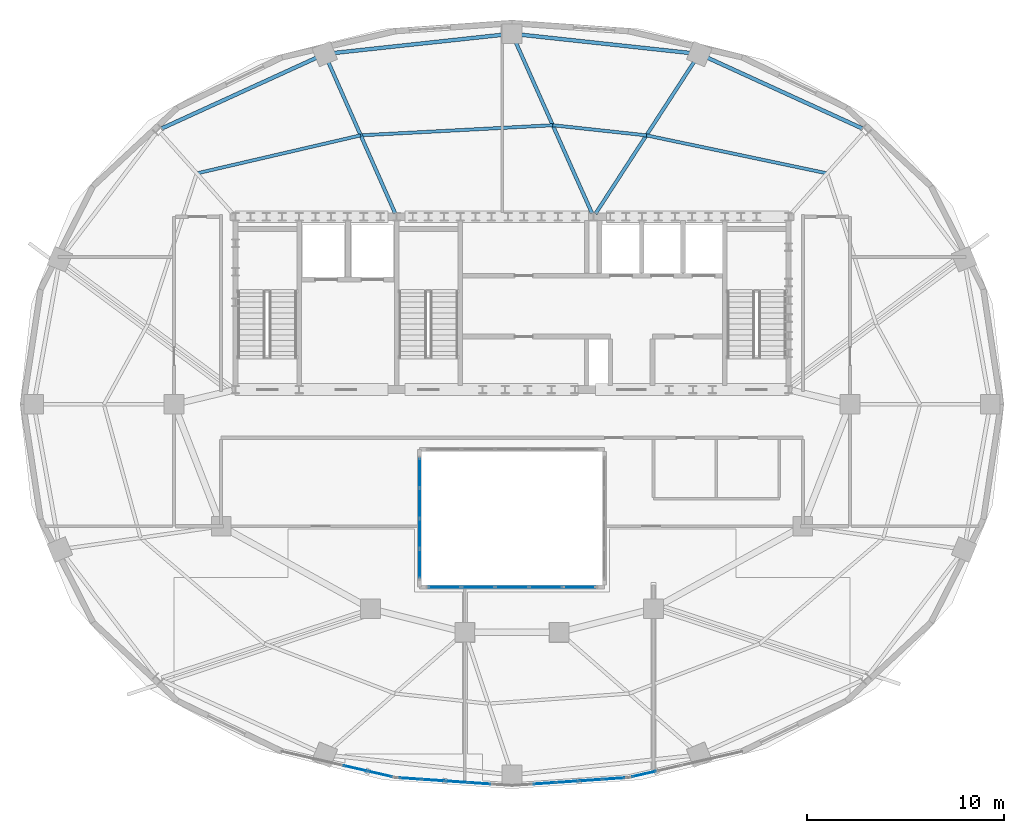
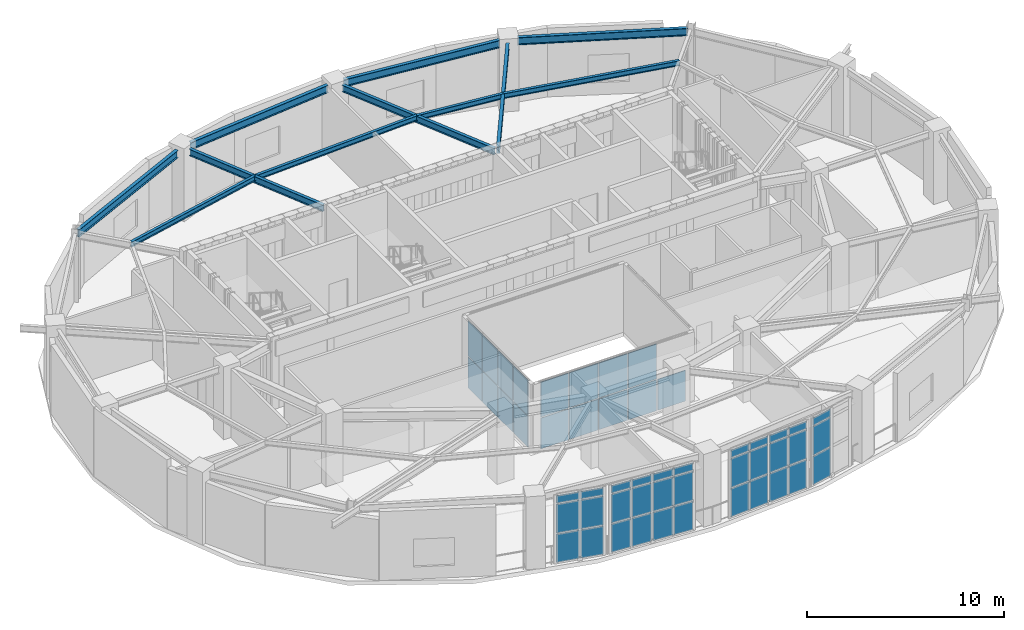
# One storey, part 6 of 11: 50 plates, 11 beams, 6 elements without a shape of their own.
"""IFC4 building model written with IfcOpenShell, lengths in metres."""

from ifc_helpers import new_model, si_unit, direction, frame, origin, origin_2d, place, context, subcontext, project, spatial, rectangle, i_section, extrude, material, layer, layer_set, material_profile, profile_set, type_object, element, aggregate, save


model = new_model("IFC4")

# Units and contexts
model_context = context("Model", 3, precision=1e-05, world=origin(), true_north=direction((0.0, 1.0)))
body_context = subcontext(model_context, "Body", "Model", "MODEL_VIEW")
ifc_project = project(units=[si_unit("LENGTHUNIT", "METRE"), si_unit("AREAUNIT", "SQUARE_METRE"), si_unit("VOLUMEUNIT", "CUBIC_METRE"), si_unit("PLANEANGLEUNIT", "RADIAN"), si_unit("MASSUNIT", "GRAM", prefix="KILO")], contexts=[model_context])

# Site, building, storey
site_placement = place(None, origin())
site = spatial("IfcSite", under=ifc_project, at=site_placement, CompositionType="ELEMENT")
building_placement = place(site_placement, origin())
building = spatial("IfcBuilding", under=site, at=building_placement, Name="Haldorwick Loom Tower", CompositionType="ELEMENT")
storey_placement = place(building_placement, frame((0.0, 0.0, 247.800048828125)))
storey = spatial("IfcBuildingStorey", under=building, at=storey_placement, Name="L67", CompositionType="ELEMENT", Elevation=247.800048828125)

# Beams
ifc_material_1 = material(Name="Steel CSA G40.21 350W", Category="steel")
ifc_material_profile_1 = material_profile(ifc_material_1, i_section(OverallWidth=0.166015625, OverallDepth=0.31298828125, WebThickness=0.006591796875, FlangeThickness=0.01123046875, at=origin_2d()), Name="W310X45", Category="steel")
ifc_profile_set_1 = profile_set([ifc_material_profile_1], Name="Steel CSA G40.21 350W")
beam_type_1 = type_object("IfcBeamType", Name="STR-BM-J310", PredefinedType="JOIST", material=ifc_profile_set_1)
beam_1_placement = place(storey_placement, frame((52.03759765625, 37.754150390625, 4.103515625), z_axis=(-0.978553918403, 0.205990846344, 0.0), x_axis=(-0.205990846344, -0.978553918403, 0.0)))
element("IfcBeam", 1, at=beam_1_placement, inside=storey, type_object=beam_type_1, Name="L67 Mid-Bay Secondary Joist 3", PredefinedType="JOIST", context=body_context, shape_type="SweptSolid", body=[
    extrude(i_section(OverallWidth=0.166015625, OverallDepth=0.31298828125, WebThickness=0.006591796875, FlangeThickness=0.01123046875, at=origin_2d()), origin(), (0.0, 0.0, 1.0), 9.39990234375),
])
beam_2_placement = place(storey_placement, frame((42.83935546875, 39.6904296875, 4.103515625), z_axis=(-0.994216460534, 0.10739473732, 0.0), x_axis=(-0.10739473732, -0.994216460534, 0.0)))
element("IfcBeam", 2, at=beam_2_placement, inside=storey, type_object=beam_type_1, Name="L67 Mid-Bay Secondary Joist 4", PredefinedType="JOIST", context=body_context, shape_type="SweptSolid", body=[
    extrude(i_section(OverallWidth=0.166015625, OverallDepth=0.31298828125, WebThickness=0.006591796875, FlangeThickness=0.01123046875, at=origin_2d()), origin(), (0.0, 0.0, 1.0), 4.792236328125),
])
beam_3_placement = place(storey_placement, frame((38.074951171875, 40.205078125, 4.103515625), z_axis=(-0.998616726661, -0.052579779693, 0.0), x_axis=(0.052579779693, -0.998616726661, 0.0)))
element("IfcBeam", 3, at=beam_3_placement, inside=storey, type_object=beam_type_1, Name="L67 Mid-Bay Secondary Joist 5", PredefinedType="JOIST", context=body_context, shape_type="SweptSolid", body=[
    extrude(i_section(OverallWidth=0.166015625, OverallDepth=0.31298828125, WebThickness=0.006591796875, FlangeThickness=0.01123046875, at=origin_2d()), origin(), (0.0, 0.0, 1.0), 9.787841796875),
])
beam_4_placement = place(storey_placement, frame((28.300537109375, 39.6904296875, 4.103515625), z_axis=(-0.974080706337, -0.226200746112, 0.0), x_axis=(0.226200746112, -0.974080706337, 0.0)))
element("IfcBeam", 4, at=beam_4_placement, inside=storey, type_object=beam_type_1, Name="L67 Mid-Bay Secondary Joist 6", PredefinedType="JOIST", context=body_context, shape_type="SweptSolid", body=[
    extrude(i_section(OverallWidth=0.166015625, OverallDepth=0.31298828125, WebThickness=0.006591796875, FlangeThickness=0.01123046875, at=origin_2d()), origin(), (0.0, 0.0, 1.0), 8.56005859375),
])
ifc_material_profile_2 = material_profile(ifc_material_1, i_section(OverallWidth=0.179931640625, OverallDepth=0.4130859375, WebThickness=0.009765625, FlangeThickness=0.01611328125, at=origin_2d()), Name="W410X74", Category="steel")
ifc_profile_set_2 = profile_set([ifc_material_profile_2], Name="Steel CSA G40.21 350W")
beam_type_2 = type_object("IfcBeamType", Name="STR-BM-J410", PredefinedType="JOIST", material=ifc_profile_set_2)
beam_5_placement = place(storey_placement, frame((40.2470703125, 35.69921875, 4.053466796875), z_axis=(0.544701697466, 0.838629871145, 0.0), x_axis=(-0.838629871145, 0.544701697466, 0.0)))
element("IfcBeam", 5, at=beam_5_placement, inside=storey, type_object=beam_type_2, Name="L67 Radial Floor Girder 4", PredefinedType="JOIST", context=body_context, shape_type="SweptSolid", body=[
    extrude(i_section(OverallWidth=0.179931640625, OverallDepth=0.4130859375, WebThickness=0.009765625, FlangeThickness=0.01611328125, at=origin_2d()), origin(), (0.0, 0.0, 1.0), 9.221435546875),
])
beam_6_placement = place(storey_placement, frame((40.077392578125, 35.712646484375, 4.053466796875), z_axis=(-0.407128364689, 0.913370951293, 0.0), x_axis=(-0.913370951293, -0.407128364689, 0.0)))
element("IfcBeam", 6, at=beam_6_placement, inside=storey, type_object=beam_type_2, Name="L67 Radial Floor Girder 5", PredefinedType="JOIST", context=body_context, shape_type="SweptSolid", body=[
    extrude(i_section(OverallWidth=0.179931640625, OverallDepth=0.4130859375, WebThickness=0.009765625, FlangeThickness=0.01611328125, at=origin_2d()), origin(), (0.0, 0.0, 1.0), 9.5400390625),
])
beam_7_placement = place(storey_placement, frame((30.05810546875, 35.712890625, 4.053466796875), z_axis=(-0.404158193408, 0.914689102756, 0.0), x_axis=(-0.914689102756, -0.404158193408, 0.0)))
element("IfcBeam", 7, at=beam_7_placement, inside=storey, type_object=beam_type_2, Name="L67 Radial Floor Girder 6", PredefinedType="JOIST", context=body_context, shape_type="SweptSolid", body=[
    extrude(i_section(OverallWidth=0.179931640625, OverallDepth=0.4130859375, WebThickness=0.009765625, FlangeThickness=0.01611328125, at=origin_2d()), origin(), (0.0, 0.0, 1.0), 8.400146484375),
])
ifc_material_profile_3 = material_profile(ifc_material_1, i_section(OverallWidth=0.193115234375, OverallDepth=0.466064453125, WebThickness=0.011474609375, FlangeThickness=0.01904296875, at=origin_2d()), Name="W460X97", Category="steel")
ifc_profile_set_3 = profile_set([ifc_material_profile_3], Name="Steel CSA G40.21 350W")
beam_type_3 = type_object("IfcBeamType", Name="STR-BM-SP460", PredefinedType="SPANDREL", material=ifc_profile_set_3)
beam_8_placement = place(storey_placement, frame((53.84326171875, 40.0322265625, 4.02685546875), z_axis=(-0.909567887863, 0.415555360172, 0.0), x_axis=(-0.415555360172, -0.909567887863, 0.0)))
element("IfcBeam", 8, at=beam_8_placement, inside=storey, type_object=beam_type_3, Name="L67 Perimeter Spandrel 3", PredefinedType="SPANDREL", context=body_context, shape_type="SweptSolid", body=[
    extrude(i_section(OverallWidth=0.193115234375, OverallDepth=0.466064453125, WebThickness=0.011474609375, FlangeThickness=0.01904296875, at=origin_2d()), origin(), (0.0, 0.0, 1.0), 8.666259765625),
])
for number, where, z_axis, x_axis, name in (
    (9, (45.056396484375, 43.8818359375, 4.02685546875), (-0.994216353781, 0.107395725588, 0.0), (-0.107395725588, -0.994216353781, 0.0), "L67 Perimeter Spandrel 4"),
    (10, (35.527587890625, 44.80908203125, 4.02685546875), (-0.994216353781, -0.107395725588, 0.0), (0.107395725588, -0.994216353781, 0.0), "L67 Perimeter Spandrel 5"),
):
    element("IfcBeam", number, at=place(storey_placement, frame(where, z_axis=z_axis, x_axis=x_axis)), inside=storey, type_object=beam_type_3, Name=name, PredefinedType="SPANDREL", context=body_context, shape_type="SweptSolid", body=[
        extrude(i_section(OverallWidth=0.193115234375, OverallDepth=0.466064453125, WebThickness=0.011474609375, FlangeThickness=0.01904296875, at=origin_2d()), origin(), (0.0, 0.0, 1.0), 8.634033203125),
    ])
beam_9_placement = place(storey_placement, frame((26.039306640625, 43.633544921875, 4.02685546875), z_axis=(-0.909567887863, -0.415555360172, 0.0), x_axis=(0.415555360172, -0.909567887863, 0.0)))
element("IfcBeam", 11, at=beam_9_placement, inside=storey, type_object=beam_type_3, Name="L67 Perimeter Spandrel 6", PredefinedType="SPANDREL", context=body_context, shape_type="SweptSolid", body=[
    extrude(i_section(OverallWidth=0.193115234375, OverallDepth=0.466064453125, WebThickness=0.011474609375, FlangeThickness=0.01904296875, at=origin_2d()), origin(), (0.0, 0.0, 1.0), 8.666259765625),
])

# Curtain wall, plates
ifc_material_2 = material(Name="Thermally Broken Anodized Aluminium Curtain Wall Framing", Category="aluminium")
curtain_wall_type_1 = type_object("IfcCurtainWallType", Name="ARC-CW-03", PredefinedType="NOTDEFINED", material=ifc_material_2)
curtain_wall_1_placement = place(storey_placement, origin())
curtain_wall_1 = element("IfcCurtainWall", 12, at=curtain_wall_1_placement, inside=storey, type_object=curtain_wall_type_1, Name="L67 Atrium Glazed Screen S", PredefinedType="NOTDEFINED")
ifc_material_3 = material(Name="Triple-Glazed Low-E Argon Insulated Glazing Unit", Category="glass")
ifc_layer_1 = layer(ifc_material_3, 0.04296875, Name="Triple-Glazed Low-E Argon Insulated Glazing Unit", Category="glass")
ifc_layer_set_1 = layer_set([ifc_layer_1], Name="Triple-Glazed Low-E Argon Insulated Glazing Unit")
plate_type_1 = type_object("IfcPlateType", Name="ARC-CWP-03", PredefinedType="CURTAIN_PANEL", material=ifc_layer_set_1)
plate_1_placement = place(storey_placement, frame((39.423583984375, 16.699951171875, 0.06591796875), z_axis=(0.0, 0.0, 1.0), x_axis=(-1.0, 0.0, 0.0)))
plate_1 = element("IfcPlate", 13, at=plate_1_placement, type_object=plate_type_1, Name="CW-03 panel 1.1", PredefinedType="CURTAIN_PANEL", context=body_context, shape_type="SweptSolid", body=[
    extrude(rectangle(XDim=1.62109375, YDim=0.04296875, at=origin_2d()), origin(), (0.0, 0.0, 1.0), 1.90087890625),
])
plate_2_placement = place(storey_placement, frame((37.719970703125, 16.699951171875, 0.06591796875), z_axis=(0.0, 0.0, 1.0), x_axis=(-1.0, 0.0, 0.0)))
plate_2 = element("IfcPlate", 14, at=plate_2_placement, type_object=plate_type_1, Name="CW-03 panel 2.1", PredefinedType="CURTAIN_PANEL", context=body_context, shape_type="SweptSolid", body=[
    extrude(rectangle(XDim=1.654052734375, YDim=0.04296875, at=origin_2d()), origin(), (0.0, 0.0, 1.0), 1.90087890625),
])
plate_3_placement = place(storey_placement, frame((37.719970703125, 16.699951171875, 2.033203125), z_axis=(0.0, 0.0, 1.0), x_axis=(-1.0, 0.0, 0.0)))
plate_3 = element("IfcPlate", 15, at=plate_3_placement, type_object=plate_type_1, Name="CW-03 panel 2.2", PredefinedType="CURTAIN_PANEL", context=body_context, shape_type="SweptSolid", body=[
    extrude(rectangle(XDim=1.654052734375, YDim=0.04296875, at=origin_2d()), origin(), (0.0, 0.0, 1.0), 2.160888671875),
])
plate_4_placement = place(storey_placement, frame((36.0, 16.699951171875, 0.06591796875), z_axis=(0.0, 0.0, 1.0), x_axis=(-1.0, 0.0, 0.0)))
plate_4 = element("IfcPlate", 16, at=plate_4_placement, type_object=plate_type_1, Name="CW-03 panel 3.1", PredefinedType="CURTAIN_PANEL", context=body_context, shape_type="SweptSolid", body=[
    extrude(rectangle(XDim=1.654052734375, YDim=0.04296875, at=origin_2d()), origin(), (0.0, 0.0, 1.0), 1.90087890625),
])
plate_5_placement = place(storey_placement, frame((36.0, 16.699951171875, 2.033203125), z_axis=(0.0, 0.0, 1.0), x_axis=(-1.0, 0.0, 0.0)))
plate_5 = element("IfcPlate", 17, at=plate_5_placement, type_object=plate_type_1, Name="CW-03 panel 3.2", PredefinedType="CURTAIN_PANEL", context=body_context, shape_type="SweptSolid", body=[
    extrude(rectangle(XDim=1.654052734375, YDim=0.04296875, at=origin_2d()), origin(), (0.0, 0.0, 1.0), 2.160888671875),
])
plate_6_placement = place(storey_placement, frame((34.280029296875, 16.699951171875, 0.06591796875), z_axis=(0.0, 0.0, 1.0), x_axis=(-1.0, 0.0, 0.0)))
plate_6 = element("IfcPlate", 18, at=plate_6_placement, type_object=plate_type_1, Name="CW-03 panel 4.1", PredefinedType="CURTAIN_PANEL", context=body_context, shape_type="SweptSolid", body=[
    extrude(rectangle(XDim=1.654052734375, YDim=0.04296875, at=origin_2d()), origin(), (0.0, 0.0, 1.0), 1.90087890625),
])
plate_7_placement = place(storey_placement, frame((34.280029296875, 16.699951171875, 2.033203125), z_axis=(0.0, 0.0, 1.0), x_axis=(-1.0, 0.0, 0.0)))
plate_7 = element("IfcPlate", 19, at=plate_7_placement, type_object=plate_type_1, Name="CW-03 panel 4.2", PredefinedType="CURTAIN_PANEL", context=body_context, shape_type="SweptSolid", body=[
    extrude(rectangle(XDim=1.654052734375, YDim=0.04296875, at=origin_2d()), origin(), (0.0, 0.0, 1.0), 2.160888671875),
])
plate_8_placement = place(storey_placement, frame((32.576416015625, 16.699951171875, 0.06591796875), z_axis=(0.0, 0.0, 1.0), x_axis=(-1.0, 0.0, 0.0)))
plate_8 = element("IfcPlate", 20, at=plate_8_placement, type_object=plate_type_1, Name="CW-03 panel 5.1", PredefinedType="CURTAIN_PANEL", context=body_context, shape_type="SweptSolid", body=[
    extrude(rectangle(XDim=1.62109375, YDim=0.04296875, at=origin_2d()), origin(), (0.0, 0.0, 1.0), 1.90087890625),
])
plate_9_placement = place(storey_placement, frame((32.576416015625, 16.699951171875, 2.033203125), z_axis=(0.0, 0.0, 1.0), x_axis=(-1.0, 0.0, 0.0)))
plate_9 = element("IfcPlate", 21, at=plate_9_placement, type_object=plate_type_1, Name="CW-03 panel 5.2", PredefinedType="CURTAIN_PANEL", context=body_context, shape_type="SweptSolid", body=[
    extrude(rectangle(XDim=1.62109375, YDim=0.04296875, at=origin_2d()), origin(), (0.0, 0.0, 1.0), 2.160888671875),
])
aggregate(curtain_wall_1, [plate_1, plate_2, plate_3, plate_4, plate_5, plate_6, plate_7, plate_8, plate_9])

curtain_wall_2_placement = place(storey_placement, origin())
curtain_wall_2 = element("IfcCurtainWall", 22, at=curtain_wall_2_placement, inside=storey, type_object=curtain_wall_type_1, Name="L67 Atrium Glazed Screen W", PredefinedType="NOTDEFINED")
plate_10_placement = place(storey_placement, frame((31.300048828125, 17.8916015625, 0.06591796875), z_axis=(0.0, 0.0, 1.0), x_axis=(0.0, 1.0, 0.0)))
plate_10 = element("IfcPlate", 23, at=plate_10_placement, type_object=plate_type_1, Name="CW-03 panel 1.1", PredefinedType="CURTAIN_PANEL", context=body_context, shape_type="SweptSolid", body=[
    extrude(rectangle(XDim=1.450927734375, YDim=0.04296875, at=origin_2d()), origin(), (0.0, 0.0, 1.0), 1.90087890625),
])
plate_11_placement = place(storey_placement, frame((31.300048828125, 17.8916015625, 2.033203125), z_axis=(0.0, 0.0, 1.0), x_axis=(0.0, 1.0, 0.0)))
plate_11 = element("IfcPlate", 24, at=plate_11_placement, type_object=plate_type_1, Name="CW-03 panel 1.2", PredefinedType="CURTAIN_PANEL", context=body_context, shape_type="SweptSolid", body=[
    extrude(rectangle(XDim=1.450927734375, YDim=0.04296875, at=origin_2d()), origin(), (0.0, 0.0, 1.0), 2.160888671875),
])
plate_12_placement = place(storey_placement, frame((31.300048828125, 19.425048828125, 0.06591796875), z_axis=(0.0, 0.0, 1.0), x_axis=(0.0, 1.0, 0.0)))
plate_12 = element("IfcPlate", 25, at=plate_12_placement, type_object=plate_type_1, Name="CW-03 panel 2.1", PredefinedType="CURTAIN_PANEL", context=body_context, shape_type="SweptSolid", body=[
    extrude(rectangle(XDim=1.48388671875, YDim=0.04296875, at=origin_2d()), origin(), (0.0, 0.0, 1.0), 1.90087890625),
])
plate_13_placement = place(storey_placement, frame((31.300048828125, 19.425048828125, 2.033203125), z_axis=(0.0, 0.0, 1.0), x_axis=(0.0, 1.0, 0.0)))
plate_13 = element("IfcPlate", 26, at=plate_13_placement, type_object=plate_type_1, Name="CW-03 panel 2.2", PredefinedType="CURTAIN_PANEL", context=body_context, shape_type="SweptSolid", body=[
    extrude(rectangle(XDim=1.48388671875, YDim=0.04296875, at=origin_2d()), origin(), (0.0, 0.0, 1.0), 2.160888671875),
])
plate_14_placement = place(storey_placement, frame((31.300048828125, 20.97509765625, 0.06591796875), z_axis=(0.0, 0.0, 1.0), x_axis=(0.0, 1.0, 0.0)))
plate_14 = element("IfcPlate", 27, at=plate_14_placement, type_object=plate_type_1, Name="CW-03 panel 3.1", PredefinedType="CURTAIN_PANEL", context=body_context, shape_type="SweptSolid", body=[
    extrude(rectangle(XDim=1.48388671875, YDim=0.04296875, at=origin_2d()), origin(), (0.0, 0.0, 1.0), 1.90087890625),
])
plate_15_placement = place(storey_placement, frame((31.300048828125, 20.97509765625, 2.033203125), z_axis=(0.0, 0.0, 1.0), x_axis=(0.0, 1.0, 0.0)))
plate_15 = element("IfcPlate", 28, at=plate_15_placement, type_object=plate_type_1, Name="CW-03 panel 3.2", PredefinedType="CURTAIN_PANEL", context=body_context, shape_type="SweptSolid", body=[
    extrude(rectangle(XDim=1.48388671875, YDim=0.04296875, at=origin_2d()), origin(), (0.0, 0.0, 1.0), 2.160888671875),
])
plate_16_placement = place(storey_placement, frame((31.300048828125, 22.508544921875, 0.06591796875), z_axis=(0.0, 0.0, 1.0), x_axis=(0.0, 1.0, 0.0)))
plate_16 = element("IfcPlate", 29, at=plate_16_placement, type_object=plate_type_1, Name="CW-03 panel 4.1", PredefinedType="CURTAIN_PANEL", context=body_context, shape_type="SweptSolid", body=[
    extrude(rectangle(XDim=1.450927734375, YDim=0.04296875, at=origin_2d()), origin(), (0.0, 0.0, 1.0), 1.90087890625),
])
plate_17_placement = place(storey_placement, frame((31.300048828125, 22.508544921875, 2.033203125), z_axis=(0.0, 0.0, 1.0), x_axis=(0.0, 1.0, 0.0)))
plate_17 = element("IfcPlate", 30, at=plate_17_placement, type_object=plate_type_1, Name="CW-03 panel 4.2", PredefinedType="CURTAIN_PANEL", context=body_context, shape_type="SweptSolid", body=[
    extrude(rectangle(XDim=1.450927734375, YDim=0.04296875, at=origin_2d()), origin(), (0.0, 0.0, 1.0), 2.160888671875),
])
aggregate(curtain_wall_2, [plate_10, plate_11, plate_12, plate_13, plate_14, plate_15, plate_16, plate_17])

curtain_wall_type_2 = type_object("IfcCurtainWallType", Name="ARC-CW-05", PredefinedType="NOTDEFINED", material=ifc_material_2)
curtain_wall_3_placement = place(storey_placement, origin())
curtain_wall_3 = element("IfcCurtainWall", 31, at=curtain_wall_3_placement, inside=storey, type_object=curtain_wall_type_2, Name="L67 Facade Curtain Wall CW-05 Bay 17", PredefinedType="NOTDEFINED")
ifc_layer_2 = layer(ifc_material_3, 0.049072265625, Name="Triple-Glazed Low-E Argon Insulated Glazing Unit", Category="glass")
ifc_layer_set_2 = layer_set([ifc_layer_2], Name="Triple-Glazed Low-E Argon Insulated Glazing Unit")
plate_type_2 = type_object("IfcPlateType", Name="ARC-CWP-05", PredefinedType="CURTAIN_PANEL", material=ifc_layer_set_2)
plate_18_placement = place(storey_placement, frame((28.0322265625, 7.476806640625, 0.06787109375), z_axis=(0.0, 0.0, 1.0), x_axis=(0.974600956604, -0.223948599878, 0.0)))
plate_18 = element("IfcPlate", 32, at=plate_18_placement, type_object=plate_type_2, Name="CW-05 panel 1.1", PredefinedType="CURTAIN_PANEL", context=body_context, shape_type="SweptSolid", body=[
    extrude(rectangle(XDim=1.217041015625, YDim=0.049072265625, at=origin_2d()), origin(), (0.0, 0.0, 1.0), 1.748046875),
])
plate_19_placement = place(storey_placement, frame((28.0322265625, 7.476806640625, 1.8837890625), z_axis=(0.0, 0.0, 1.0), x_axis=(0.974600956604, -0.223948599878, 0.0)))
plate_19 = element("IfcPlate", 33, at=plate_19_placement, type_object=plate_type_2, Name="CW-05 panel 1.2", PredefinedType="CURTAIN_PANEL", context=body_context, shape_type="SweptSolid", body=[
    extrude(rectangle(XDim=1.217041015625, YDim=0.049072265625, at=origin_2d()), origin(), (0.0, 0.0, 1.0), 1.781982421875),
])
plate_20_placement = place(storey_placement, frame((28.0322265625, 7.476806640625, 3.73388671875), z_axis=(0.0, 0.0, 1.0), x_axis=(0.974600956604, -0.223948599878, 0.0)))
plate_20 = element("IfcPlate", 34, at=plate_20_placement, type_object=plate_type_2, Name="CW-05 panel 1.3", PredefinedType="CURTAIN_PANEL", context=body_context, shape_type="SweptSolid", body=[
    extrude(rectangle(XDim=1.217041015625, YDim=0.049072265625, at=origin_2d()), origin(), (0.0, 0.0, 1.0), 0.4580078125),
])
plate_21_placement = place(storey_placement, frame((29.28466796875, 7.189208984375, 0.06787109375), z_axis=(0.0, 0.0, 1.0), x_axis=(0.974600956604, -0.223948599878, 0.0)))
plate_21 = element("IfcPlate", 35, at=plate_21_placement, type_object=plate_type_2, Name="CW-05 panel 2.1", PredefinedType="CURTAIN_PANEL", context=body_context, shape_type="SweptSolid", body=[
    extrude(rectangle(XDim=1.217041015625, YDim=0.049072265625, at=origin_2d()), origin(), (0.0, 0.0, 1.0), 1.748046875),
])
plate_22_placement = place(storey_placement, frame((29.28466796875, 7.189208984375, 1.8837890625), z_axis=(0.0, 0.0, 1.0), x_axis=(0.974600956604, -0.223948599878, 0.0)))
plate_22 = element("IfcPlate", 36, at=plate_22_placement, type_object=plate_type_2, Name="CW-05 panel 2.2", PredefinedType="CURTAIN_PANEL", context=body_context, shape_type="SweptSolid", body=[
    extrude(rectangle(XDim=1.217041015625, YDim=0.049072265625, at=origin_2d()), origin(), (0.0, 0.0, 1.0), 1.781982421875),
])
plate_23_placement = place(storey_placement, frame((29.28466796875, 7.189208984375, 3.73388671875), z_axis=(0.0, 0.0, 1.0), x_axis=(0.974600956604, -0.223948599878, 0.0)))
plate_23 = element("IfcPlate", 37, at=plate_23_placement, type_object=plate_type_2, Name="CW-05 panel 2.3", PredefinedType="CURTAIN_PANEL", context=body_context, shape_type="SweptSolid", body=[
    extrude(rectangle(XDim=1.217041015625, YDim=0.049072265625, at=origin_2d()), origin(), (0.0, 0.0, 1.0), 0.4580078125),
])
aggregate(curtain_wall_3, [plate_18, plate_19, plate_20, plate_21, plate_22, plate_23])

curtain_wall_4_placement = place(storey_placement, origin())
curtain_wall_4 = element("IfcCurtainWall", 38, at=curtain_wall_4_placement, inside=storey, type_object=curtain_wall_type_2, Name="L67 Facade Curtain Wall CW-05 Bay 18", PredefinedType="NOTDEFINED")
plate_24_placement = place(storey_placement, frame((30.830322265625, 6.954833984375, 0.06787109375), z_axis=(0.0, 0.0, 1.0), x_axis=(0.997654252638, -0.06845430734, 0.0)))
plate_24 = element("IfcPlate", 39, at=plate_24_placement, type_object=plate_type_2, Name="CW-05 panel 1.1", PredefinedType="CURTAIN_PANEL", context=body_context, shape_type="SweptSolid", body=[
    extrude(rectangle(XDim=1.087158203125, YDim=0.049072265625, at=origin_2d()), origin(), (0.0, 0.0, 1.0), 1.748046875),
])
plate_25_placement = place(storey_placement, frame((30.830322265625, 6.954833984375, 1.8837890625), z_axis=(0.0, 0.0, 1.0), x_axis=(0.997654252638, -0.06845430734, 0.0)))
plate_25 = element("IfcPlate", 40, at=plate_25_placement, type_object=plate_type_2, Name="CW-05 panel 1.2", PredefinedType="CURTAIN_PANEL", context=body_context, shape_type="SweptSolid", body=[
    extrude(rectangle(XDim=1.087158203125, YDim=0.049072265625, at=origin_2d()), origin(), (0.0, 0.0, 1.0), 1.781982421875),
])
plate_26_placement = place(storey_placement, frame((30.830322265625, 6.954833984375, 3.73388671875), z_axis=(0.0, 0.0, 1.0), x_axis=(0.997654252638, -0.06845430734, 0.0)))
plate_26 = element("IfcPlate", 41, at=plate_26_placement, type_object=plate_type_2, Name="CW-05 panel 1.3", PredefinedType="CURTAIN_PANEL", context=body_context, shape_type="SweptSolid", body=[
    extrude(rectangle(XDim=1.087158203125, YDim=0.049072265625, at=origin_2d()), origin(), (0.0, 0.0, 1.0), 0.4580078125),
])
plate_27_placement = place(storey_placement, frame((31.999755859375, 6.87451171875, 0.06787109375), z_axis=(0.0, 0.0, 1.0), x_axis=(0.997654252638, -0.06845430734, 0.0)))
plate_27 = element("IfcPlate", 42, at=plate_27_placement, type_object=plate_type_2, Name="CW-05 panel 2.1", PredefinedType="CURTAIN_PANEL", context=body_context, shape_type="SweptSolid", body=[
    extrude(rectangle(XDim=1.12109375, YDim=0.049072265625, at=origin_2d()), origin(), (0.0, 0.0, 1.0), 1.748046875),
])
plate_28_placement = place(storey_placement, frame((31.999755859375, 6.87451171875, 1.8837890625), z_axis=(0.0, 0.0, 1.0), x_axis=(0.997654252638, -0.06845430734, 0.0)))
plate_28 = element("IfcPlate", 43, at=plate_28_placement, type_object=plate_type_2, Name="CW-05 panel 2.2", PredefinedType="CURTAIN_PANEL", context=body_context, shape_type="SweptSolid", body=[
    extrude(rectangle(XDim=1.12109375, YDim=0.049072265625, at=origin_2d()), origin(), (0.0, 0.0, 1.0), 1.781982421875),
])
plate_29_placement = place(storey_placement, frame((31.999755859375, 6.87451171875, 3.73388671875), z_axis=(0.0, 0.0, 1.0), x_axis=(0.997654252638, -0.06845430734, 0.0)))
plate_29 = element("IfcPlate", 44, at=plate_29_placement, type_object=plate_type_2, Name="CW-05 panel 2.3", PredefinedType="CURTAIN_PANEL", context=body_context, shape_type="SweptSolid", body=[
    extrude(rectangle(XDim=1.12109375, YDim=0.049072265625, at=origin_2d()), origin(), (0.0, 0.0, 1.0), 0.4580078125),
])
plate_30_placement = place(storey_placement, frame((33.18603515625, 6.793212890625, 0.06787109375), z_axis=(0.0, 0.0, 1.0), x_axis=(0.997654252638, -0.06845430734, 0.0)))
plate_30 = element("IfcPlate", 45, at=plate_30_placement, type_object=plate_type_2, Name="CW-05 panel 3.1", PredefinedType="CURTAIN_PANEL", context=body_context, shape_type="SweptSolid", body=[
    extrude(rectangle(XDim=1.12109375, YDim=0.049072265625, at=origin_2d()), origin(), (0.0, 0.0, 1.0), 1.748046875),
])
plate_31_placement = place(storey_placement, frame((33.18603515625, 6.793212890625, 1.8837890625), z_axis=(0.0, 0.0, 1.0), x_axis=(0.997654252638, -0.06845430734, 0.0)))
plate_31 = element("IfcPlate", 46, at=plate_31_placement, type_object=plate_type_2, Name="CW-05 panel 3.2", PredefinedType="CURTAIN_PANEL", context=body_context, shape_type="SweptSolid", body=[
    extrude(rectangle(XDim=1.12109375, YDim=0.049072265625, at=origin_2d()), origin(), (0.0, 0.0, 1.0), 1.781982421875),
])
plate_32_placement = place(storey_placement, frame((33.18603515625, 6.793212890625, 3.73388671875), z_axis=(0.0, 0.0, 1.0), x_axis=(0.997654252638, -0.06845430734, 0.0)))
plate_32 = element("IfcPlate", 47, at=plate_32_placement, type_object=plate_type_2, Name="CW-05 panel 3.3", PredefinedType="CURTAIN_PANEL", context=body_context, shape_type="SweptSolid", body=[
    extrude(rectangle(XDim=1.12109375, YDim=0.049072265625, at=origin_2d()), origin(), (0.0, 0.0, 1.0), 0.4580078125),
])
plate_33_placement = place(storey_placement, frame((34.35546875, 6.712890625, 0.06787109375), z_axis=(0.0, 0.0, 1.0), x_axis=(0.997654252638, -0.06845430734, 0.0)))
plate_33 = element("IfcPlate", 48, at=plate_33_placement, type_object=plate_type_2, Name="CW-05 panel 4.1", PredefinedType="CURTAIN_PANEL", context=body_context, shape_type="SweptSolid", body=[
    extrude(rectangle(XDim=1.087158203125, YDim=0.049072265625, at=origin_2d()), origin(), (0.0, 0.0, 1.0), 1.748046875),
])
plate_34_placement = place(storey_placement, frame((34.35546875, 6.712890625, 1.8837890625), z_axis=(0.0, 0.0, 1.0), x_axis=(0.997654252638, -0.06845430734, 0.0)))
plate_34 = element("IfcPlate", 49, at=plate_34_placement, type_object=plate_type_2, Name="CW-05 panel 4.2", PredefinedType="CURTAIN_PANEL", context=body_context, shape_type="SweptSolid", body=[
    extrude(rectangle(XDim=1.087158203125, YDim=0.049072265625, at=origin_2d()), origin(), (0.0, 0.0, 1.0), 1.781982421875),
])
plate_35_placement = place(storey_placement, frame((34.35546875, 6.712890625, 3.73388671875), z_axis=(0.0, 0.0, 1.0), x_axis=(0.997654252638, -0.06845430734, 0.0)))
plate_35 = element("IfcPlate", 50, at=plate_35_placement, type_object=plate_type_2, Name="CW-05 panel 4.3", PredefinedType="CURTAIN_PANEL", context=body_context, shape_type="SweptSolid", body=[
    extrude(rectangle(XDim=1.087158203125, YDim=0.049072265625, at=origin_2d()), origin(), (0.0, 0.0, 1.0), 0.4580078125),
])
aggregate(curtain_wall_4, [plate_24, plate_25, plate_26, plate_27, plate_28, plate_29, plate_30, plate_31, plate_32, plate_33, plate_34, plate_35])

curtain_wall_5_placement = place(storey_placement, origin())
curtain_wall_5 = element("IfcCurtainWall", 51, at=curtain_wall_5_placement, inside=storey, type_object=curtain_wall_type_2, Name="L67 Facade Curtain Wall CW-05 Bay 19", PredefinedType="NOTDEFINED")
plate_36_placement = place(storey_placement, frame((37.64453125, 6.712890625, 0.06787109375), z_axis=(0.0, 0.0, 1.0), x_axis=(0.997654252638, 0.06845430734, 0.0)))
plate_36 = element("IfcPlate", 52, at=plate_36_placement, type_object=plate_type_2, Name="CW-05 panel 1.1", PredefinedType="CURTAIN_PANEL", context=body_context, shape_type="SweptSolid", body=[
    extrude(rectangle(XDim=1.087158203125, YDim=0.049072265625, at=origin_2d()), origin(), (0.0, 0.0, 1.0), 1.748046875),
])
plate_37_placement = place(storey_placement, frame((37.64453125, 6.712890625, 1.8837890625), z_axis=(0.0, 0.0, 1.0), x_axis=(0.997654252638, 0.06845430734, 0.0)))
plate_37 = element("IfcPlate", 53, at=plate_37_placement, type_object=plate_type_2, Name="CW-05 panel 1.2", PredefinedType="CURTAIN_PANEL", context=body_context, shape_type="SweptSolid", body=[
    extrude(rectangle(XDim=1.087158203125, YDim=0.049072265625, at=origin_2d()), origin(), (0.0, 0.0, 1.0), 1.781982421875),
])
plate_38_placement = place(storey_placement, frame((37.64453125, 6.712890625, 3.73388671875), z_axis=(0.0, 0.0, 1.0), x_axis=(0.997654252638, 0.06845430734, 0.0)))
plate_38 = element("IfcPlate", 54, at=plate_38_placement, type_object=plate_type_2, Name="CW-05 panel 1.3", PredefinedType="CURTAIN_PANEL", context=body_context, shape_type="SweptSolid", body=[
    extrude(rectangle(XDim=1.087158203125, YDim=0.049072265625, at=origin_2d()), origin(), (0.0, 0.0, 1.0), 0.4580078125),
])
plate_39_placement = place(storey_placement, frame((38.81396484375, 6.793212890625, 0.06787109375), z_axis=(0.0, 0.0, 1.0), x_axis=(0.997654252638, 0.06845430734, 0.0)))
plate_39 = element("IfcPlate", 55, at=plate_39_placement, type_object=plate_type_2, Name="CW-05 panel 2.1", PredefinedType="CURTAIN_PANEL", context=body_context, shape_type="SweptSolid", body=[
    extrude(rectangle(XDim=1.12109375, YDim=0.049072265625, at=origin_2d()), origin(), (0.0, 0.0, 1.0), 1.748046875),
])
plate_40_placement = place(storey_placement, frame((38.81396484375, 6.793212890625, 1.8837890625), z_axis=(0.0, 0.0, 1.0), x_axis=(0.997654252638, 0.06845430734, 0.0)))
plate_40 = element("IfcPlate", 56, at=plate_40_placement, type_object=plate_type_2, Name="CW-05 panel 2.2", PredefinedType="CURTAIN_PANEL", context=body_context, shape_type="SweptSolid", body=[
    extrude(rectangle(XDim=1.12109375, YDim=0.049072265625, at=origin_2d()), origin(), (0.0, 0.0, 1.0), 1.781982421875),
])
plate_41_placement = place(storey_placement, frame((38.81396484375, 6.793212890625, 3.73388671875), z_axis=(0.0, 0.0, 1.0), x_axis=(0.997654252638, 0.06845430734, 0.0)))
plate_41 = element("IfcPlate", 57, at=plate_41_placement, type_object=plate_type_2, Name="CW-05 panel 2.3", PredefinedType="CURTAIN_PANEL", context=body_context, shape_type="SweptSolid", body=[
    extrude(rectangle(XDim=1.12109375, YDim=0.049072265625, at=origin_2d()), origin(), (0.0, 0.0, 1.0), 0.4580078125),
])
plate_42_placement = place(storey_placement, frame((40.000244140625, 6.87451171875, 0.06787109375), z_axis=(0.0, 0.0, 1.0), x_axis=(0.997654252638, 0.06845430734, 0.0)))
plate_42 = element("IfcPlate", 58, at=plate_42_placement, type_object=plate_type_2, Name="CW-05 panel 3.1", PredefinedType="CURTAIN_PANEL", context=body_context, shape_type="SweptSolid", body=[
    extrude(rectangle(XDim=1.12109375, YDim=0.049072265625, at=origin_2d()), origin(), (0.0, 0.0, 1.0), 1.748046875),
])
plate_43_placement = place(storey_placement, frame((40.000244140625, 6.87451171875, 1.8837890625), z_axis=(0.0, 0.0, 1.0), x_axis=(0.997654252638, 0.06845430734, 0.0)))
plate_43 = element("IfcPlate", 59, at=plate_43_placement, type_object=plate_type_2, Name="CW-05 panel 3.2", PredefinedType="CURTAIN_PANEL", context=body_context, shape_type="SweptSolid", body=[
    extrude(rectangle(XDim=1.12109375, YDim=0.049072265625, at=origin_2d()), origin(), (0.0, 0.0, 1.0), 1.781982421875),
])
plate_44_placement = place(storey_placement, frame((40.000244140625, 6.87451171875, 3.73388671875), z_axis=(0.0, 0.0, 1.0), x_axis=(0.997654252638, 0.06845430734, 0.0)))
plate_44 = element("IfcPlate", 60, at=plate_44_placement, type_object=plate_type_2, Name="CW-05 panel 3.3", PredefinedType="CURTAIN_PANEL", context=body_context, shape_type="SweptSolid", body=[
    extrude(rectangle(XDim=1.12109375, YDim=0.049072265625, at=origin_2d()), origin(), (0.0, 0.0, 1.0), 0.4580078125),
])
plate_45_placement = place(storey_placement, frame((41.169677734375, 6.954833984375, 0.06787109375), z_axis=(0.0, 0.0, 1.0), x_axis=(0.997654252638, 0.06845430734, 0.0)))
plate_45 = element("IfcPlate", 61, at=plate_45_placement, type_object=plate_type_2, Name="CW-05 panel 4.1", PredefinedType="CURTAIN_PANEL", context=body_context, shape_type="SweptSolid", body=[
    extrude(rectangle(XDim=1.087158203125, YDim=0.049072265625, at=origin_2d()), origin(), (0.0, 0.0, 1.0), 1.748046875),
])
plate_46_placement = place(storey_placement, frame((41.169677734375, 6.954833984375, 1.8837890625), z_axis=(0.0, 0.0, 1.0), x_axis=(0.997654252638, 0.06845430734, 0.0)))
plate_46 = element("IfcPlate", 62, at=plate_46_placement, type_object=plate_type_2, Name="CW-05 panel 4.2", PredefinedType="CURTAIN_PANEL", context=body_context, shape_type="SweptSolid", body=[
    extrude(rectangle(XDim=1.087158203125, YDim=0.049072265625, at=origin_2d()), origin(), (0.0, 0.0, 1.0), 1.781982421875),
])
plate_47_placement = place(storey_placement, frame((41.169677734375, 6.954833984375, 3.73388671875), z_axis=(0.0, 0.0, 1.0), x_axis=(0.997654252638, 0.06845430734, 0.0)))
plate_47 = element("IfcPlate", 63, at=plate_47_placement, type_object=plate_type_2, Name="CW-05 panel 4.3", PredefinedType="CURTAIN_PANEL", context=body_context, shape_type="SweptSolid", body=[
    extrude(rectangle(XDim=1.087158203125, YDim=0.049072265625, at=origin_2d()), origin(), (0.0, 0.0, 1.0), 0.4580078125),
])
aggregate(curtain_wall_5, [plate_36, plate_37, plate_38, plate_39, plate_40, plate_41, plate_42, plate_43, plate_44, plate_45, plate_46, plate_47])

curtain_wall_6_placement = place(storey_placement, origin())
curtain_wall_6 = element("IfcCurtainWall", 64, at=curtain_wall_6_placement, inside=storey, type_object=curtain_wall_type_2, Name="L67 Facade Curtain Wall CW-05 Bay 20", PredefinedType="NOTDEFINED")
plate_48_placement = place(storey_placement, frame((42.71533203125, 7.189208984375, 0.06787109375), z_axis=(0.0, 0.0, 1.0), x_axis=(0.974600956604, 0.223948599878, 0.0)))
plate_48 = element("IfcPlate", 65, at=plate_48_placement, type_object=plate_type_2, Name="CW-05 panel 1.1", PredefinedType="CURTAIN_PANEL", context=body_context, shape_type="SweptSolid", body=[
    extrude(rectangle(XDim=1.217041015625, YDim=0.049072265625, at=origin_2d()), origin(), (0.0, 0.0, 1.0), 1.748046875),
])
plate_49_placement = place(storey_placement, frame((42.71533203125, 7.189208984375, 1.8837890625), z_axis=(0.0, 0.0, 1.0), x_axis=(0.974600956604, 0.223948599878, 0.0)))
plate_49 = element("IfcPlate", 66, at=plate_49_placement, type_object=plate_type_2, Name="CW-05 panel 1.2", PredefinedType="CURTAIN_PANEL", context=body_context, shape_type="SweptSolid", body=[
    extrude(rectangle(XDim=1.217041015625, YDim=0.049072265625, at=origin_2d()), origin(), (0.0, 0.0, 1.0), 1.781982421875),
])
plate_50_placement = place(storey_placement, frame((42.71533203125, 7.189208984375, 3.73388671875), z_axis=(0.0, 0.0, 1.0), x_axis=(0.974600956604, 0.223948599878, 0.0)))
plate_50 = element("IfcPlate", 67, at=plate_50_placement, type_object=plate_type_2, Name="CW-05 panel 1.3", PredefinedType="CURTAIN_PANEL", context=body_context, shape_type="SweptSolid", body=[
    extrude(rectangle(XDim=1.217041015625, YDim=0.049072265625, at=origin_2d()), origin(), (0.0, 0.0, 1.0), 0.4580078125),
])
aggregate(curtain_wall_6, [plate_48, plate_49, plate_50])

save(model, "model.ifc")
